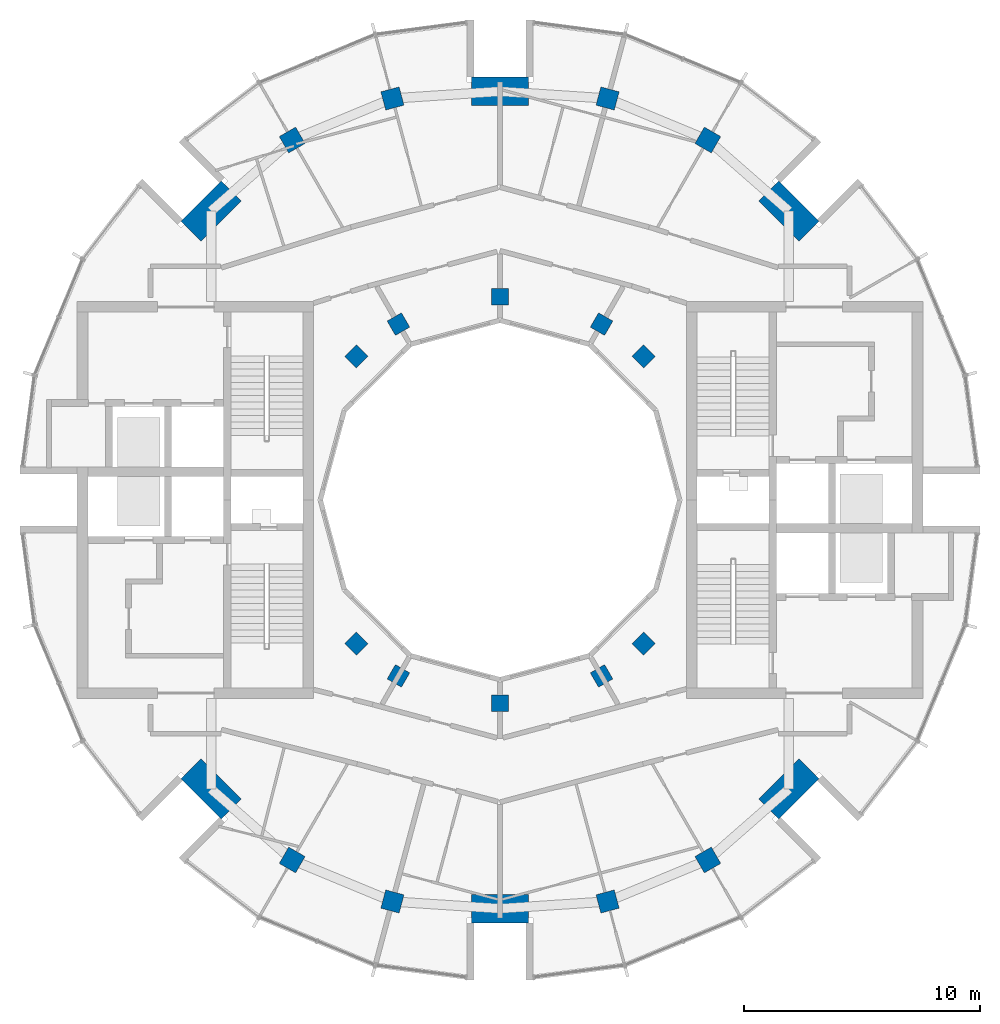
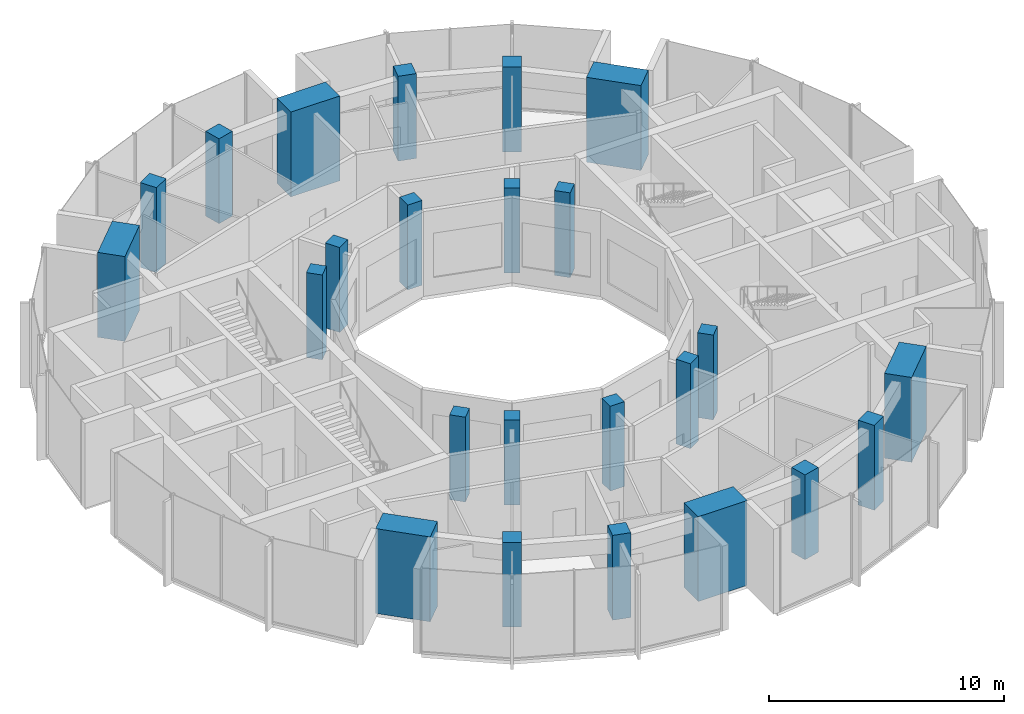
# One storey, part 1 of 13: 24 columns.
"""IFC4 building model written with IfcOpenShell, lengths in metres."""

from ifc_helpers import new_model, si_unit, direction, frame, origin, origin_2d, place, context, subcontext, project, spatial, rectangle, extrude, material, material_profile, profile_set, type_object, element, save


model = new_model("IFC4")

# Units and contexts
model_context = context("Model", 3, precision=1e-05, world=origin(), true_north=direction((0.0, 1.0)))
body_context = subcontext(model_context, "Body", "Model", "MODEL_VIEW")
ifc_project = project(units=[si_unit("LENGTHUNIT", "METRE"), si_unit("AREAUNIT", "SQUARE_METRE"), si_unit("VOLUMEUNIT", "CUBIC_METRE"), si_unit("PLANEANGLEUNIT", "RADIAN"), si_unit("MASSUNIT", "GRAM", prefix="KILO")], contexts=[model_context])

# Site, building, storey
site_placement = place(None, origin())
site = spatial("IfcSite", under=ifc_project, at=site_placement, CompositionType="ELEMENT")
building_placement = place(site_placement, origin())
building = spatial("IfcBuilding", under=site, at=building_placement, Name="Torre Brocal", CompositionType="ELEMENT")
storey_placement = place(building_placement, frame((0.0, 0.0, 319.300048828125)))
storey = spatial("IfcBuildingStorey", under=building, at=storey_placement, Name="L73", CompositionType="ELEMENT", Elevation=319.300048828125)

# Columns
ifc_material_1 = material(Name="Concrete C50", Category="concrete")
ifc_material_profile_1 = material_profile(ifc_material_1, rectangle(XDim=1.199951171875, YDim=2.39990234375, at=origin_2d()), Name="RC 1200X2400")
ifc_profile_set_1 = profile_set([ifc_material_profile_1], Name="Concrete C50")
column_type_1 = type_object("IfcColumnType", Name="RC COLUMN 1200X2400 C50", PredefinedType="COLUMN", material=ifc_profile_set_1)
for number, where, z_axis, x_axis, name in (
    (1, (92.23291015625, 87.23291015625, 0.0), (0.0, 0.0, 1.0), (0.707106781187, 0.707106781187, 0.0), "Column MCC-1"),
    (2, (80.0, 92.300048828125, 0.0), (0.0, 0.0, 1.0), (0.0, 1.0, 0.0), "Column MCC-2"),
    (3, (67.76708984375, 87.23291015625, 0.0), (0.0, 0.0, 1.0), (-0.707106781187, 0.707106781187, 0.0), "Column MCC-3"),
    (4, (67.76708984375, 62.76708984375, 0.0), (0.0, 0.0, 1.0), (-0.707106781187, -0.707106781187, 0.0), "Column MCC-5"),
    (5, (80.0, 57.699951171875, 0.0), (0.0, 0.0, 1.0), (0.0, -1.0, 0.0), "Column MCC-6"),
    (6, (92.23291015625, 62.76708984375, 0.0), (0.0, 0.0, 1.0), (0.707106781187, -0.707106781187, 0.0), "Column MCC-7"),
):
    element("IfcColumn", number, at=place(storey_placement, frame(where, z_axis=z_axis, x_axis=x_axis)), inside=storey, type_object=column_type_1, Name=name, PredefinedType="COLUMN", context=body_context, shape_type="SweptSolid", body=[
        extrude(rectangle(XDim=1.199951171875, YDim=2.39990234375, at=origin_2d()), origin(), (0.0, 0.0, 1.0), 4.39990234375),
    ])
ifc_material_2 = material(Name="Concrete C50", Category="concrete")
ifc_material_profile_2 = material_profile(ifc_material_2, rectangle(XDim=0.699951171875, YDim=0.699951171875, at=origin_2d()), Name="RC 700X700")
ifc_profile_set_2 = profile_set([ifc_material_profile_2], Name="Concrete C50")
column_type_2 = type_object("IfcColumnType", Name="RC COLUMN 700X700 C50", PredefinedType="COLUMN", material=ifc_profile_set_2)
for number, where, z_axis, x_axis, name in (
    (7, (86.0810546875, 81.0810546875, 0.0), (0.0, 0.0, 1.0), (0.707106781187, 0.707106781187, 0.0), "Column C-I03"),
    (8, (84.300048828125, 82.44775390625, 0.0), (0.0, 0.0, 1.0), (0.5, 0.866025403784, 0.0), "Column C-I04"),
    (9, (80.0, 83.60009765625, 0.0), (0.0, 0.0, 1.0), (0.0, 1.0, 0.0), "Column C-I06"),
    (10, (75.699951171875, 82.44775390625, 0.0), (0.0, 0.0, 1.0), (-0.5, 0.866025403784, 0.0), "Column C-I08"),
    (11, (73.9189453125, 81.0810546875, 0.0), (0.0, 0.0, 1.0), (-0.707106781187, 0.707106781187, 0.0), "Column C-I09"),
    (12, (73.9189453125, 68.9189453125, 0.0), (0.0, 0.0, 1.0), (-0.707106781187, -0.707106781187, 0.0), "Column C-I15"),
    (13, (75.699951171875, 67.55224609375, 0.0), (0.0, 0.0, 1.0), (-0.5, -0.866025403784, 0.0), "Column C-I16"),
    (14, (80.0, 66.39990234375, 0.0), (0.0, 0.0, 1.0), (0.0, -1.0, 0.0), "Column C-I18"),
    (15, (84.300048828125, 67.55224609375, 0.0), (0.0, 0.0, 1.0), (0.5, -0.866025403784, 0.0), "Column C-I20"),
    (16, (86.0810546875, 68.9189453125, 0.0), (0.0, 0.0, 1.0), (0.707106781187, -0.707106781187, 0.0), "Column C-I21"),
):
    element("IfcColumn", number, at=place(storey_placement, frame(where, z_axis=z_axis, x_axis=x_axis)), inside=storey, type_object=column_type_2, Name=name, PredefinedType="COLUMN", context=body_context, shape_type="SweptSolid", body=[
        extrude(rectangle(XDim=0.699951171875, YDim=0.699951171875, at=origin_2d()), origin(), (0.0, 0.0, 1.0), 4.39990234375),
    ])
ifc_material_3 = material(Name="Concrete C50", Category="concrete")
ifc_material_profile_3 = material_profile(ifc_material_3, rectangle(XDim=0.800048828125, YDim=0.800048828125, at=origin_2d()), Name="RC 800X800")
ifc_profile_set_3 = profile_set([ifc_material_profile_3], Name="Concrete C50")
column_type_3 = type_object("IfcColumnType", Name="RC COLUMN 800X800 C50", PredefinedType="COLUMN", material=ifc_profile_set_3)
for number, where, z_axis, x_axis, name in (
    (17, (88.800048828125, 90.241943359375, 0.0), (0.0, 0.0, 1.0), (0.5, 0.866025403784, 0.0), "Column C-M04"),
    (18, (84.55517578125, 92.000244140625, 0.0), (0.0, 0.0, 1.0), (0.258819045103, 0.965925826289, 0.0), "Column C-M05"),
    (19, (75.44482421875, 92.000244140625, 0.0), (0.0, 0.0, 1.0), (-0.258819045103, 0.965925826289, 0.0), "Column C-M07"),
    (20, (71.199951171875, 90.241943359375, 0.0), (0.0, 0.0, 1.0), (-0.5, 0.866025403784, 0.0), "Column C-M08"),
    (21, (71.199951171875, 59.758056640625, 0.0), (0.0, 0.0, 1.0), (-0.5, -0.866025403784, 0.0), "Column C-M16"),
    (22, (75.44482421875, 57.999755859375, 0.0), (0.0, 0.0, 1.0), (-0.258819045103, -0.965925826289, 0.0), "Column C-M17"),
    (23, (84.55517578125, 57.999755859375, 0.0), (0.0, 0.0, 1.0), (0.258819045103, -0.965925826289, 0.0), "Column C-M19"),
    (24, (88.800048828125, 59.758056640625, 0.0), (0.0, 0.0, 1.0), (0.5, -0.866025403784, 0.0), "Column C-M20"),
):
    element("IfcColumn", number, at=place(storey_placement, frame(where, z_axis=z_axis, x_axis=x_axis)), inside=storey, type_object=column_type_3, Name=name, PredefinedType="COLUMN", context=body_context, shape_type="SweptSolid", body=[
        extrude(rectangle(XDim=0.800048828125, YDim=0.800048828125, at=origin_2d()), origin(), (0.0, 0.0, 1.0), 4.39990234375),
    ])

save(model, "model.ifc")
